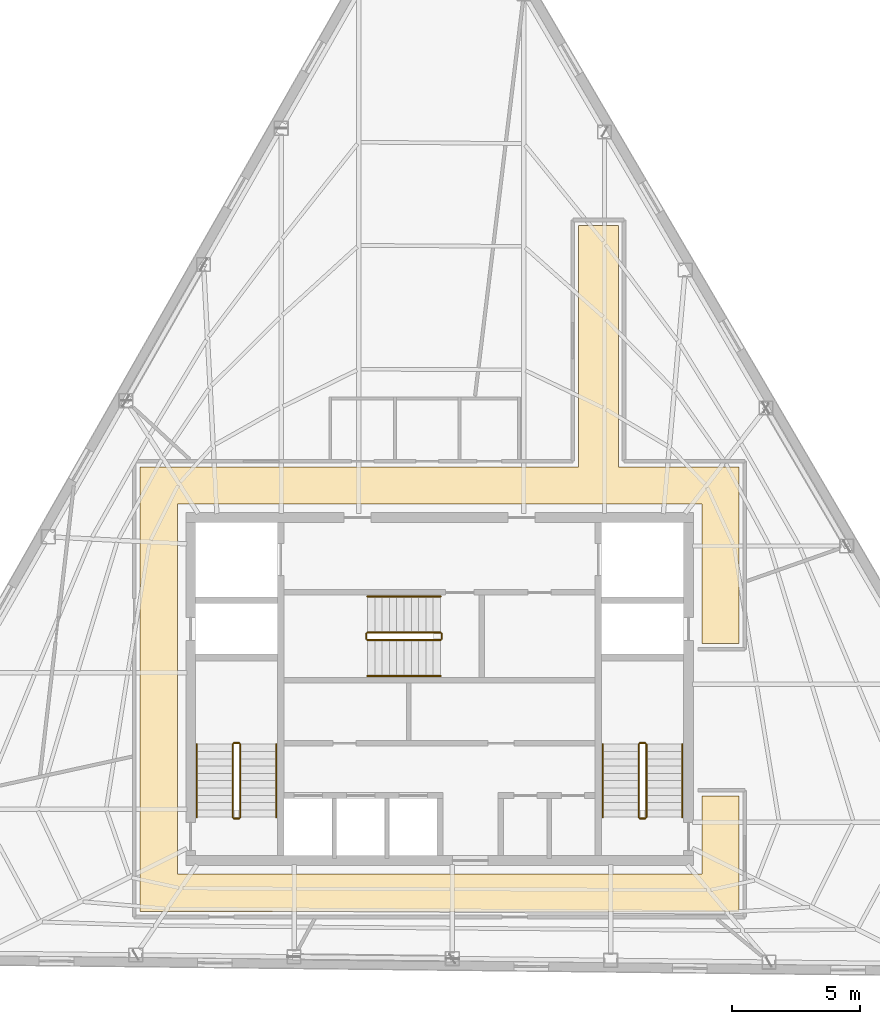
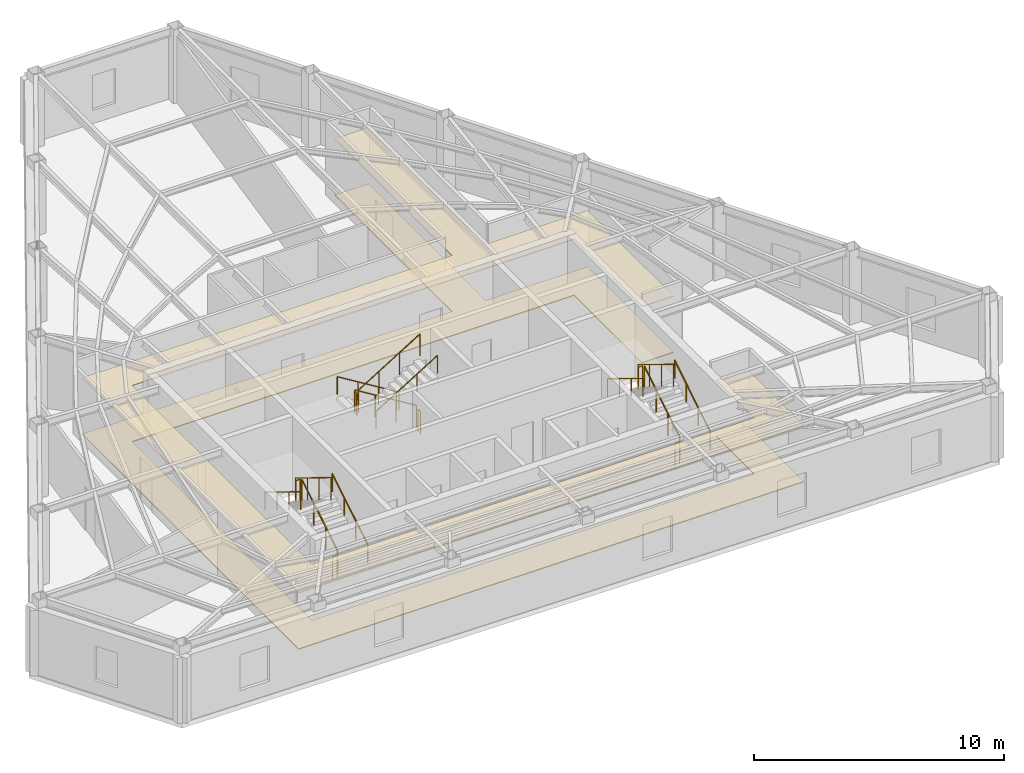
# One storey, part 10 of 10: 18 railings, 2 coverings.
"""IFC4 building model written with IfcOpenShell, lengths in metres."""

from ifc_helpers import new_model, si_unit, direction, frame, origin, origin_2d, place, context, subcontext, project, spatial, polyline, circle, outline, extrude, material, layer, layer_set, type_object, element, save


model = new_model("IFC4")

# Units and contexts
model_context = context("Model", 3, precision=1e-05, world=origin(), true_north=direction((0.0, 1.0)))
body_context = subcontext(model_context, "Body", "Model", "MODEL_VIEW")
ifc_project = project(units=[si_unit("LENGTHUNIT", "METRE"), si_unit("AREAUNIT", "SQUARE_METRE"), si_unit("VOLUMEUNIT", "CUBIC_METRE"), si_unit("PLANEANGLEUNIT", "RADIAN"), si_unit("MASSUNIT", "GRAM", prefix="KILO")], contexts=[model_context])

# Site, building, storey
site_placement = place(None, origin())
site = spatial("IfcSite", under=ifc_project, at=site_placement, CompositionType="ELEMENT")
building_placement = place(site_placement, origin())
building = spatial("IfcBuilding", under=site, at=building_placement, Name="Kavelnor Concourse Tower", CompositionType="ELEMENT")
storey_placement = place(building_placement, frame((0.0, 0.0, 251.050048828125)))
storey = spatial("IfcBuildingStorey", under=building, at=storey_placement, Name="L63", CompositionType="ELEMENT", Elevation=251.050048828125)

# Coverings
ifc_material_1 = material(Name="Mineral fibre acoustic ceiling tile")
ifc_layer_1 = layer(ifc_material_1, 0.0400390625, Name="Mineral fibre acoustic ceiling tile")
ifc_layer_set_1 = layer_set([ifc_layer_1], Name="Mineral fibre acoustic ceiling tile")
covering_type_1 = type_object("IfcCoveringType", Name="COV-CEILING-ACOUSTIC", PredefinedType="CEILING", material=ifc_layer_set_1)
covering_1_placement = place(storey_placement, frame((0.0, 0.0, 2.75)))
element("IfcCovering", 1, at=covering_1_placement, inside=storey, type_object=covering_type_1, Name="L63 Suspended Acoustic Ceiling", PredefinedType="CEILING", context=body_context, shape_type="SweptSolid", body=[
    extrude(outline(polyline([(44.97998046875, 24.77001953125), (49.68994140625, 24.77001953125), (49.68994140625, 17.8701171875), (48.22998046875, 17.8701171875), (48.22998046875, 23.31005859375), (27.77001953125, 23.31005859375), (27.77001953125, 8.889892578125), (48.22998046875, 8.889892578125), (48.22998046875, 11.929931640625), (49.68994140625, 11.929931640625), (49.68994140625, 7.429931640625), (26.31005859375, 7.429931640625), (26.31005859375, 24.77001953125), (43.419921875, 24.77001953125), (43.419921875, 34.179931640625), (44.97998046875, 34.179931640625), (44.97998046875, 24.77001953125)])), origin(), (0.0, 0.0, 1.0), 0.0400390625),
])
ifc_material_2 = material(Name="Honed bluestone and raised access floor finish", Category="masonry")
ifc_layer_2 = layer(ifc_material_2, 0.0400390625, Name="Honed bluestone and raised access floor finish")
ifc_layer_set_2 = layer_set([ifc_layer_2], Name="Honed bluestone and raised access floor finish")
covering_type_2 = type_object("IfcCoveringType", Name="COV-FLOOR-STONE", PredefinedType="FLOORING", material=ifc_layer_set_2)
covering_2_placement = place(storey_placement, frame((0.0, 0.0, 0.001953125)))
element("IfcCovering", 2, at=covering_2_placement, inside=storey, type_object=covering_type_2, Name="L63 Honed Bluestone Floor Finish", PredefinedType="FLOORING", context=body_context, shape_type="SweptSolid", body=[
    extrude(outline(polyline([(44.97998046875, 24.77001953125), (49.68994140625, 24.77001953125), (49.68994140625, 17.8701171875), (48.22998046875, 17.8701171875), (48.22998046875, 23.31005859375), (27.77001953125, 23.31005859375), (27.77001953125, 8.889892578125), (48.22998046875, 8.889892578125), (48.22998046875, 11.929931640625), (49.68994140625, 11.929931640625), (49.68994140625, 7.429931640625), (26.31005859375, 7.429931640625), (26.31005859375, 24.77001953125), (43.419921875, 24.77001953125), (43.419921875, 34.179931640625), (44.97998046875, 34.179931640625), (44.97998046875, 24.77001953125)])), origin(), (0.0, 0.0, 1.0), 0.0400390625),
])

# Railings
ifc_material_3 = material(Name="Steel Grade 350", Category="steel")
railing_type_1 = type_object("IfcRailingType", Name="RLG-GUARD-1100", PredefinedType="GUARDRAIL", material=ifc_material_3)
railing_1_placement = place(storey_placement, frame((30.22998046875, 11.10009765625, 0.175048828125)))
element("IfcRailing", 3, at=railing_1_placement, inside=storey, type_object=railing_type_1, Name="L63 ST1 stair guard 1", PredefinedType="GUARDRAIL", context=body_context, shape_type="SweptSolid", body=[
    extrude(circle(Radius=0.02392578125, at=origin_2d()), frame((0.0, 0.0, 1.076171875), z_axis=(0.0, 0.852159232446, 0.523282564737), x_axis=(-1.0, 0.0, 0.0)), (0.0, 0.0, 1.0), 3.34423828125),
    extrude(circle(Radius=0.02099609375, at=origin_2d()), origin(), (0.0, 0.0, 1.0), 1.052001953125),
    extrude(circle(Radius=0.02099609375, at=origin_2d()), frame((0.0, 0.949951171875, 0.583251953125)), (0.0, 0.0, 1.0), 1.052001953125),
    extrude(circle(Radius=0.02099609375, at=origin_2d()), frame((0.0, 1.89990234375, 1.166748046875)), (0.0, 0.0, 1.0), 1.052001953125),
    extrude(circle(Radius=0.02099609375, at=origin_2d()), frame((0.0, 2.849853515625, 1.75)), (0.0, 0.0, 1.0), 1.052001953125),
])
railing_2_placement = place(storey_placement, frame((30.179931640625, 14.0, 1.925048828125)))
element("IfcRailing", 4, at=railing_2_placement, inside=storey, type_object=railing_type_1, Name="L63 ST1 stair guard 2", PredefinedType="GUARDRAIL", context=body_context, shape_type="SweptSolid", body=[
    extrude(circle(Radius=0.02392578125, at=origin_2d()), frame((0.0, 0.0, 1.076171875), z_axis=(-1.0, 0.0, 0.0), x_axis=(0.0, -1.0, 0.0)), (0.0, 0.0, 1.0), 0.199951171875),
    extrude(circle(Radius=0.02099609375, at=origin_2d()), origin(), (0.0, 0.0, 1.0), 1.052001953125),
    extrude(circle(Radius=0.02099609375, at=origin_2d()), frame((-0.199951171875, 0.0, 0.0)), (0.0, 0.0, 1.0), 1.052001953125),
])
railing_3_placement = place(storey_placement, frame((29.929931640625, 13.949951171875, 2.099853515625)))
element("IfcRailing", 5, at=railing_3_placement, inside=storey, type_object=railing_type_1, Name="L63 ST1 stair guard 3", PredefinedType="GUARDRAIL", context=body_context, shape_type="SweptSolid", body=[
    extrude(circle(Radius=0.02392578125, at=origin_2d()), frame((0.0, 0.0, 1.076171875), z_axis=(0.0, -0.852159232446, 0.523282564737), x_axis=(1.0, 0.0, 0.0)), (0.0, 0.0, 1.0), 3.34423828125),
    extrude(circle(Radius=0.02099609375, at=origin_2d()), origin(), (0.0, 0.0, 1.0), 1.052001953125),
    extrude(circle(Radius=0.02099609375, at=origin_2d()), frame((0.0, -0.949951171875, 0.583251953125)), (0.0, 0.0, 1.0), 1.052001953125),
    extrude(circle(Radius=0.02099609375, at=origin_2d()), frame((0.0, -1.89990234375, 1.166748046875)), (0.0, 0.0, 1.0), 1.052001953125),
    extrude(circle(Radius=0.02099609375, at=origin_2d()), frame((0.0, -2.849853515625, 1.75)), (0.0, 0.0, 1.0), 1.052001953125),
])
railing_4_placement = place(storey_placement, frame((30.179931640625, 11.050048828125, 0.0)))
element("IfcRailing", 6, at=railing_4_placement, inside=storey, type_object=railing_type_1, Name="L63 ST1 stair guard 4", PredefinedType="GUARDRAIL", context=body_context, shape_type="SweptSolid", body=[
    extrude(circle(Radius=0.02392578125, at=origin_2d()), frame((0.0, 0.0, 1.076171875), z_axis=(-1.0, 0.0, 0.0), x_axis=(0.0, -1.0, 0.0)), (0.0, 0.0, 1.0), 0.199951171875),
    extrude(circle(Radius=0.02099609375, at=origin_2d()), origin(), (0.0, 0.0, 1.0), 1.052001953125),
    extrude(circle(Radius=0.02099609375, at=origin_2d()), frame((-0.199951171875, 0.0, 0.0)), (0.0, 0.0, 1.0), 1.052001953125),
])
railing_5_placement = place(storey_placement, frame((46.070068359375, 11.10009765625, 0.175048828125)))
element("IfcRailing", 7, at=railing_5_placement, inside=storey, type_object=railing_type_1, Name="L63 ST2 stair guard 1", PredefinedType="GUARDRAIL", context=body_context, shape_type="SweptSolid", body=[
    extrude(circle(Radius=0.02392578125, at=origin_2d()), frame((0.0, 0.0, 1.076171875), z_axis=(0.0, 0.852159232446, 0.523282564737), x_axis=(-1.0, 0.0, 0.0)), (0.0, 0.0, 1.0), 3.34423828125),
    extrude(circle(Radius=0.02099609375, at=origin_2d()), origin(), (0.0, 0.0, 1.0), 1.052001953125),
    extrude(circle(Radius=0.02099609375, at=origin_2d()), frame((0.0, 0.949951171875, 0.583251953125)), (0.0, 0.0, 1.0), 1.052001953125),
    extrude(circle(Radius=0.02099609375, at=origin_2d()), frame((0.0, 1.89990234375, 1.166748046875)), (0.0, 0.0, 1.0), 1.052001953125),
    extrude(circle(Radius=0.02099609375, at=origin_2d()), frame((0.0, 2.849853515625, 1.75)), (0.0, 0.0, 1.0), 1.052001953125),
])
railing_6_placement = place(storey_placement, frame((46.02001953125, 14.0, 1.925048828125)))
element("IfcRailing", 8, at=railing_6_placement, inside=storey, type_object=railing_type_1, Name="L63 ST2 stair guard 2", PredefinedType="GUARDRAIL", context=body_context, shape_type="SweptSolid", body=[
    extrude(circle(Radius=0.02392578125, at=origin_2d()), frame((0.0, 0.0, 1.076171875), z_axis=(-1.0, 0.0, 0.0), x_axis=(0.0, -1.0, 0.0)), (0.0, 0.0, 1.0), 0.199951171875),
    extrude(circle(Radius=0.02099609375, at=origin_2d()), origin(), (0.0, 0.0, 1.0), 1.052001953125),
    extrude(circle(Radius=0.02099609375, at=origin_2d()), frame((-0.199951171875, 0.0, 0.0)), (0.0, 0.0, 1.0), 1.052001953125),
])
railing_7_placement = place(storey_placement, frame((45.77001953125, 13.949951171875, 2.099853515625)))
element("IfcRailing", 9, at=railing_7_placement, inside=storey, type_object=railing_type_1, Name="L63 ST2 stair guard 3", PredefinedType="GUARDRAIL", context=body_context, shape_type="SweptSolid", body=[
    extrude(circle(Radius=0.02392578125, at=origin_2d()), frame((0.0, 0.0, 1.076171875), z_axis=(0.0, -0.852159232446, 0.523282564737), x_axis=(1.0, 0.0, 0.0)), (0.0, 0.0, 1.0), 3.34423828125),
    extrude(circle(Radius=0.02099609375, at=origin_2d()), origin(), (0.0, 0.0, 1.0), 1.052001953125),
    extrude(circle(Radius=0.02099609375, at=origin_2d()), frame((0.0, -0.949951171875, 0.583251953125)), (0.0, 0.0, 1.0), 1.052001953125),
    extrude(circle(Radius=0.02099609375, at=origin_2d()), frame((0.0, -1.89990234375, 1.166748046875)), (0.0, 0.0, 1.0), 1.052001953125),
    extrude(circle(Radius=0.02099609375, at=origin_2d()), frame((0.0, -2.849853515625, 1.75)), (0.0, 0.0, 1.0), 1.052001953125),
])
railing_8_placement = place(storey_placement, frame((46.02001953125, 11.050048828125, 0.0)))
element("IfcRailing", 10, at=railing_8_placement, inside=storey, type_object=railing_type_1, Name="L63 ST2 stair guard 4", PredefinedType="GUARDRAIL", context=body_context, shape_type="SweptSolid", body=[
    extrude(circle(Radius=0.02392578125, at=origin_2d()), frame((0.0, 0.0, 1.076171875), z_axis=(-1.0, 0.0, 0.0), x_axis=(0.0, -1.0, 0.0)), (0.0, 0.0, 1.0), 0.199951171875),
    extrude(circle(Radius=0.02099609375, at=origin_2d()), origin(), (0.0, 0.0, 1.0), 1.052001953125),
    extrude(circle(Radius=0.02099609375, at=origin_2d()), frame((-0.199951171875, 0.0, 0.0)), (0.0, 0.0, 1.0), 1.052001953125),
])
railing_9_placement = place(storey_placement, frame((38.0400390625, 18.31005859375, 0.175048828125)))
element("IfcRailing", 11, at=railing_9_placement, inside=storey, type_object=railing_type_1, Name="L63 ST3 stair guard 1", PredefinedType="GUARDRAIL", context=body_context, shape_type="SweptSolid", body=[
    extrude(circle(Radius=0.02392578125, at=origin_2d()), frame((0.0, 0.0, 1.076171875), z_axis=(-0.852179220489, 0.0, 0.52325001306), x_axis=(0.0, -1.0, 0.0)), (0.0, 0.0, 1.0), 3.344482421875),
    extrude(circle(Radius=0.02099609375, at=origin_2d()), origin(), (0.0, 0.0, 1.0), 1.052001953125),
    extrude(circle(Radius=0.02099609375, at=origin_2d()), frame((-0.949951171875, 0.0, 0.583251953125)), (0.0, 0.0, 1.0), 1.052001953125),
    extrude(circle(Radius=0.02099609375, at=origin_2d()), frame((-1.900146484375, 0.0, 1.166748046875)), (0.0, 0.0, 1.0), 1.052001953125),
    extrude(circle(Radius=0.02099609375, at=origin_2d()), frame((-2.85009765625, 0.0, 1.75)), (0.0, 0.0, 1.0), 1.052001953125),
])
railing_10_placement = place(storey_placement, frame((35.139892578125, 18.260009765625, 1.925048828125)))
element("IfcRailing", 12, at=railing_10_placement, inside=storey, type_object=railing_type_1, Name="L63 ST3 stair guard 2", PredefinedType="GUARDRAIL", context=body_context, shape_type="SweptSolid", body=[
    extrude(circle(Radius=0.02392578125, at=origin_2d()), frame((0.0, 0.0, 1.076171875), z_axis=(0.0, -1.0, 0.0), x_axis=(1.0, 0.0, 0.0)), (0.0, 0.0, 1.0), 0.199951171875),
    extrude(circle(Radius=0.02099609375, at=origin_2d()), origin(), (0.0, 0.0, 1.0), 1.052001953125),
    extrude(circle(Radius=0.02099609375, at=origin_2d()), frame((0.0, -0.199951171875, 0.0)), (0.0, 0.0, 1.0), 1.052001953125),
])
railing_11_placement = place(storey_placement, frame((35.18994140625, 18.010009765625, 2.099853515625)))
element("IfcRailing", 13, at=railing_11_placement, inside=storey, type_object=railing_type_1, Name="L63 ST3 stair guard 3", PredefinedType="GUARDRAIL", context=body_context, shape_type="SweptSolid", body=[
    extrude(circle(Radius=0.02392578125, at=origin_2d()), frame((0.0, 0.0, 1.076171875), z_axis=(0.852179220489, 0.0, 0.52325001306), x_axis=(0.0, 1.0, 0.0)), (0.0, 0.0, 1.0), 3.344482421875),
    extrude(circle(Radius=0.02099609375, at=origin_2d()), origin(), (0.0, 0.0, 1.0), 1.052001953125),
    extrude(circle(Radius=0.02099609375, at=origin_2d()), frame((0.949951171875, 0.0, 0.583251953125)), (0.0, 0.0, 1.0), 1.052001953125),
    extrude(circle(Radius=0.02099609375, at=origin_2d()), frame((1.900146484375, 0.0, 1.166748046875)), (0.0, 0.0, 1.0), 1.052001953125),
    extrude(circle(Radius=0.02099609375, at=origin_2d()), frame((2.85009765625, 0.0, 1.75)), (0.0, 0.0, 1.0), 1.052001953125),
])
railing_12_placement = place(storey_placement, frame((38.090087890625, 18.260009765625, 0.0)))
element("IfcRailing", 14, at=railing_12_placement, inside=storey, type_object=railing_type_1, Name="L63 ST3 stair guard 4", PredefinedType="GUARDRAIL", context=body_context, shape_type="SweptSolid", body=[
    extrude(circle(Radius=0.02392578125, at=origin_2d()), frame((0.0, 0.0, 1.076171875), z_axis=(0.0, -1.0, 0.0), x_axis=(1.0, 0.0, 0.0)), (0.0, 0.0, 1.0), 0.199951171875),
    extrude(circle(Radius=0.02099609375, at=origin_2d()), origin(), (0.0, 0.0, 1.0), 1.052001953125),
    extrude(circle(Radius=0.02099609375, at=origin_2d()), frame((0.0, -0.199951171875, 0.0)), (0.0, 0.0, 1.0), 1.052001953125),
])
railing_type_2 = type_object("IfcRailingType", Name="RLG-HANDRAIL-900", PredefinedType="HANDRAIL", material=ifc_material_3)
railing_13_placement = place(storey_placement, frame((31.6298828125, 11.10009765625, 0.175048828125)))
element("IfcRailing", 15, at=railing_13_placement, inside=storey, type_object=railing_type_2, Name="L63 ST1 stair handrail 1", PredefinedType="HANDRAIL", context=body_context, shape_type="SweptSolid", body=[
    extrude(circle(Radius=0.02392578125, at=origin_2d()), frame((0.0, 0.0, 0.8759765625), z_axis=(0.0, 0.852159232446, 0.523282564737), x_axis=(-1.0, 0.0, 0.0)), (0.0, 0.0, 1.0), 3.34423828125),
    extrude(circle(Radius=0.02099609375, at=origin_2d()), origin(), (0.0, 0.0, 1.0), 0.851806640625),
    extrude(circle(Radius=0.02099609375, at=origin_2d()), frame((0.0, 0.949951171875, 0.583251953125)), (0.0, 0.0, 1.0), 0.851806640625),
    extrude(circle(Radius=0.02099609375, at=origin_2d()), frame((0.0, 1.89990234375, 1.166748046875)), (0.0, 0.0, 1.0), 0.851806640625),
    extrude(circle(Radius=0.02099609375, at=origin_2d()), frame((0.0, 2.849853515625, 1.75)), (0.0, 0.0, 1.0), 0.851806640625),
])
railing_14_placement = place(storey_placement, frame((28.530029296875, 13.949951171875, 2.099853515625)))
element("IfcRailing", 16, at=railing_14_placement, inside=storey, type_object=railing_type_2, Name="L63 ST1 stair handrail 2", PredefinedType="HANDRAIL", context=body_context, shape_type="SweptSolid", body=[
    extrude(circle(Radius=0.02392578125, at=origin_2d()), frame((0.0, 0.0, 0.8759765625), z_axis=(0.0, -0.852159232446, 0.523282564737), x_axis=(1.0, 0.0, 0.0)), (0.0, 0.0, 1.0), 3.34423828125),
    extrude(circle(Radius=0.02099609375, at=origin_2d()), origin(), (0.0, 0.0, 1.0), 0.851806640625),
    extrude(circle(Radius=0.02099609375, at=origin_2d()), frame((0.0, -0.949951171875, 0.583251953125)), (0.0, 0.0, 1.0), 0.851806640625),
    extrude(circle(Radius=0.02099609375, at=origin_2d()), frame((0.0, -1.89990234375, 1.166748046875)), (0.0, 0.0, 1.0), 0.851806640625),
    extrude(circle(Radius=0.02099609375, at=origin_2d()), frame((0.0, -2.849853515625, 1.75)), (0.0, 0.0, 1.0), 0.851806640625),
])
railing_15_placement = place(storey_placement, frame((47.469970703125, 11.10009765625, 0.175048828125)))
element("IfcRailing", 17, at=railing_15_placement, inside=storey, type_object=railing_type_2, Name="L63 ST2 stair handrail 1", PredefinedType="HANDRAIL", context=body_context, shape_type="SweptSolid", body=[
    extrude(circle(Radius=0.02392578125, at=origin_2d()), frame((0.0, 0.0, 0.8759765625), z_axis=(0.0, 0.852159232446, 0.523282564737), x_axis=(-1.0, 0.0, 0.0)), (0.0, 0.0, 1.0), 3.34423828125),
    extrude(circle(Radius=0.02099609375, at=origin_2d()), origin(), (0.0, 0.0, 1.0), 0.851806640625),
    extrude(circle(Radius=0.02099609375, at=origin_2d()), frame((0.0, 0.949951171875, 0.583251953125)), (0.0, 0.0, 1.0), 0.851806640625),
    extrude(circle(Radius=0.02099609375, at=origin_2d()), frame((0.0, 1.89990234375, 1.166748046875)), (0.0, 0.0, 1.0), 0.851806640625),
    extrude(circle(Radius=0.02099609375, at=origin_2d()), frame((0.0, 2.849853515625, 1.75)), (0.0, 0.0, 1.0), 0.851806640625),
])
railing_16_placement = place(storey_placement, frame((44.3701171875, 13.949951171875, 2.099853515625)))
element("IfcRailing", 18, at=railing_16_placement, inside=storey, type_object=railing_type_2, Name="L63 ST2 stair handrail 2", PredefinedType="HANDRAIL", context=body_context, shape_type="SweptSolid", body=[
    extrude(circle(Radius=0.02392578125, at=origin_2d()), frame((0.0, 0.0, 0.8759765625), z_axis=(0.0, -0.852159232446, 0.523282564737), x_axis=(1.0, 0.0, 0.0)), (0.0, 0.0, 1.0), 3.34423828125),
    extrude(circle(Radius=0.02099609375, at=origin_2d()), origin(), (0.0, 0.0, 1.0), 0.851806640625),
    extrude(circle(Radius=0.02099609375, at=origin_2d()), frame((0.0, -0.949951171875, 0.583251953125)), (0.0, 0.0, 1.0), 0.851806640625),
    extrude(circle(Radius=0.02099609375, at=origin_2d()), frame((0.0, -1.89990234375, 1.166748046875)), (0.0, 0.0, 1.0), 0.851806640625),
    extrude(circle(Radius=0.02099609375, at=origin_2d()), frame((0.0, -2.849853515625, 1.75)), (0.0, 0.0, 1.0), 0.851806640625),
])
railing_17_placement = place(storey_placement, frame((38.0400390625, 19.7099609375, 0.175048828125)))
element("IfcRailing", 19, at=railing_17_placement, inside=storey, type_object=railing_type_2, Name="L63 ST3 stair handrail 1", PredefinedType="HANDRAIL", context=body_context, shape_type="SweptSolid", body=[
    extrude(circle(Radius=0.02392578125, at=origin_2d()), frame((0.0, 0.0, 0.8759765625), z_axis=(-0.852179220489, 0.0, 0.52325001306), x_axis=(0.0, -1.0, 0.0)), (0.0, 0.0, 1.0), 3.344482421875),
    extrude(circle(Radius=0.02099609375, at=origin_2d()), origin(), (0.0, 0.0, 1.0), 0.851806640625),
    extrude(circle(Radius=0.02099609375, at=origin_2d()), frame((-0.949951171875, 0.0, 0.583251953125)), (0.0, 0.0, 1.0), 0.851806640625),
    extrude(circle(Radius=0.02099609375, at=origin_2d()), frame((-1.900146484375, 0.0, 1.166748046875)), (0.0, 0.0, 1.0), 0.851806640625),
    extrude(circle(Radius=0.02099609375, at=origin_2d()), frame((-2.85009765625, 0.0, 1.75)), (0.0, 0.0, 1.0), 0.851806640625),
])
railing_18_placement = place(storey_placement, frame((35.18994140625, 16.610107421875, 2.099853515625)))
element("IfcRailing", 20, at=railing_18_placement, inside=storey, type_object=railing_type_2, Name="L63 ST3 stair handrail 2", PredefinedType="HANDRAIL", context=body_context, shape_type="SweptSolid", body=[
    extrude(circle(Radius=0.02392578125, at=origin_2d()), frame((0.0, 0.0, 0.8759765625), z_axis=(0.852179220489, 0.0, 0.52325001306), x_axis=(0.0, 1.0, 0.0)), (0.0, 0.0, 1.0), 3.344482421875),
    extrude(circle(Radius=0.02099609375, at=origin_2d()), origin(), (0.0, 0.0, 1.0), 0.851806640625),
    extrude(circle(Radius=0.02099609375, at=origin_2d()), frame((0.949951171875, 0.0, 0.583251953125)), (0.0, 0.0, 1.0), 0.851806640625),
    extrude(circle(Radius=0.02099609375, at=origin_2d()), frame((1.900146484375, 0.0, 1.166748046875)), (0.0, 0.0, 1.0), 0.851806640625),
    extrude(circle(Radius=0.02099609375, at=origin_2d()), frame((2.85009765625, 0.0, 1.75)), (0.0, 0.0, 1.0), 0.851806640625),
])

save(model, "model.ifc")
